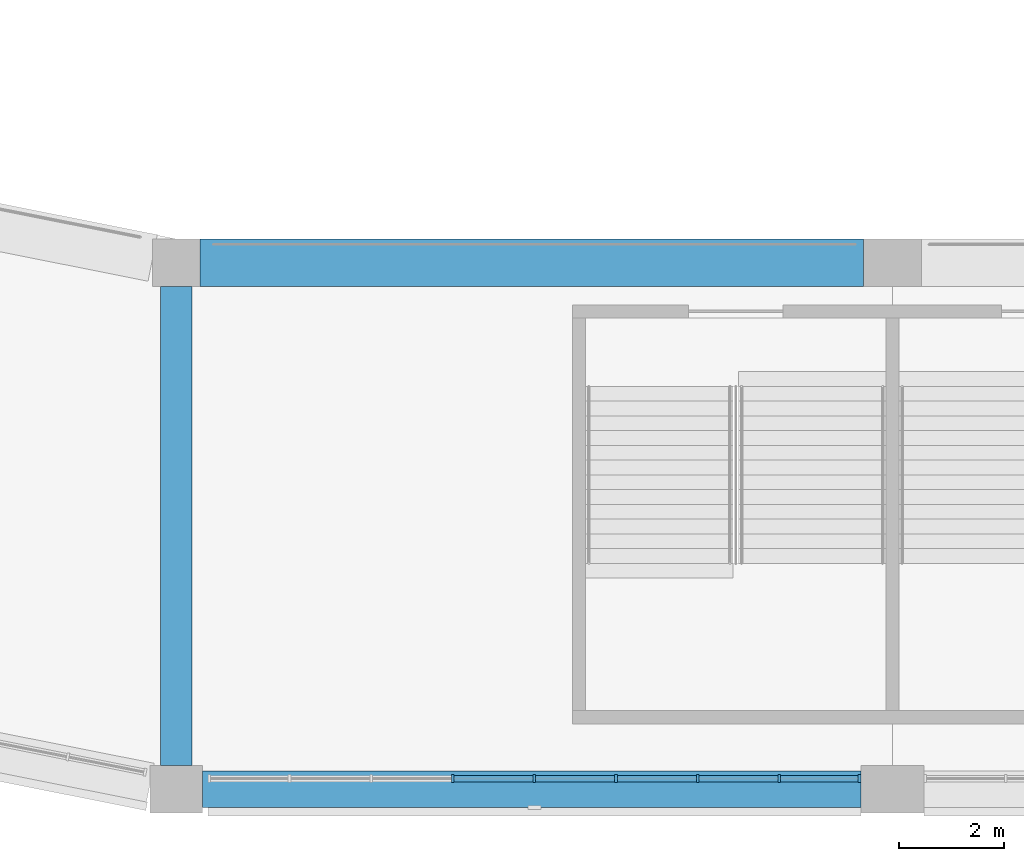
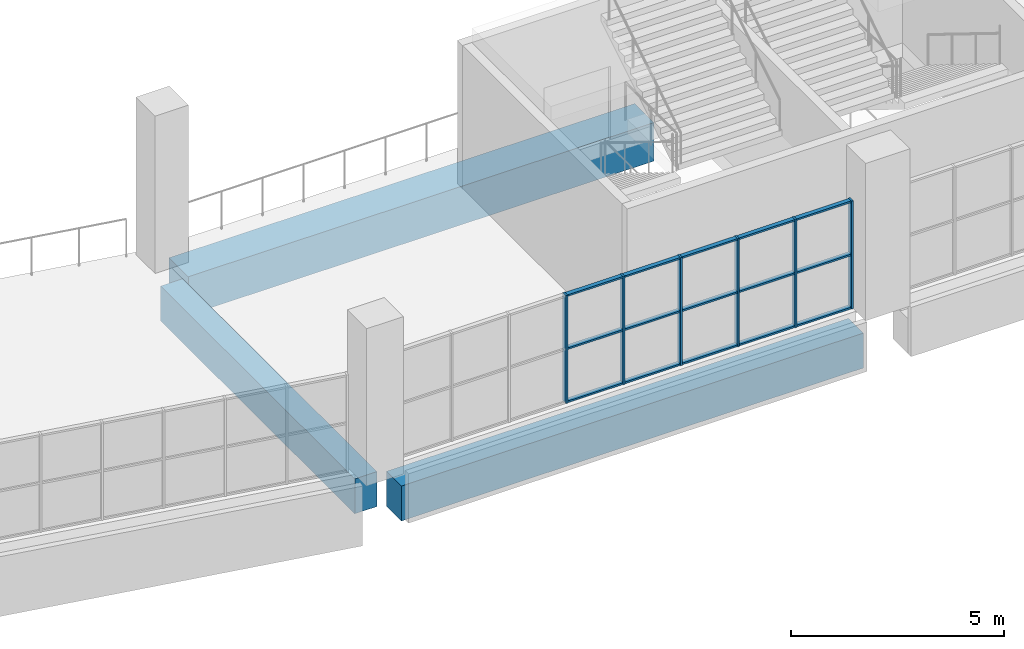
# One storey, part 6 of 177: 21 members, 3 beams, 1 element without a shape of its own.
"""IFC4 building model written with IfcOpenShell, lengths in metres."""

from ifc_helpers import new_model, si_unit, direction, frame, origin, origin_2d, place, context, subcontext, project, spatial, rectangle, extrude, material, material_profile, profile_set, type_object, element, aggregate, save


model = new_model("IFC4")

# Units and contexts
model_context = context("Model", 3, precision=1e-05, world=origin(), true_north=direction((0.0, 1.0)))
body_context = subcontext(model_context, "Body", "Model", "MODEL_VIEW")
ifc_project = project(units=[si_unit("LENGTHUNIT", "METRE"), si_unit("AREAUNIT", "SQUARE_METRE"), si_unit("VOLUMEUNIT", "CUBIC_METRE"), si_unit("PLANEANGLEUNIT", "RADIAN"), si_unit("MASSUNIT", "GRAM", prefix="KILO")], contexts=[model_context])

# Site, building, storey
site_placement = place(None, origin())
site = spatial("IfcSite", under=ifc_project, at=site_placement, CompositionType="ELEMENT")
building_placement = place(site_placement, origin())
building = spatial("IfcBuilding", under=site, at=building_placement, Name="Ogive Plaza Stadium", CompositionType="ELEMENT")
storey_placement = place(building_placement, frame((0.0, 0.0, 18.0)))
storey = spatial("IfcBuildingStorey", under=building, at=storey_placement, Name="L04", CompositionType="ELEMENT", Elevation=18.0)

# Curtain wall, members
ifc_material_1 = material(Name="Bronze-anodised aluminium with laminated glass", Category="aluminium")
curtain_wall_type = type_object("IfcCurtainWallType", Name="Lancet curtain wall", PredefinedType="NOTDEFINED", material=ifc_material_1)
curtain_wall_placement = place(storey_placement, origin())
curtain_wall = element("IfcCurtainWall", 1, at=curtain_wall_placement, inside=storey, type_object=curtain_wall_type, Name="CURTAIN WALL B16 L04", PredefinedType="NOTDEFINED")
ifc_material_2 = material(Name="Bronze-anodised aluminium", Category="aluminium")
ifc_material_profile_1 = material_profile(ifc_material_2, rectangle(XDim=0.14990234375, YDim=0.050048828125, at=origin_2d()), Name="AL 150x50")
ifc_profile_set_1 = profile_set([ifc_material_profile_1], Name="Bronze-anodised aluminium")
member_type_1 = type_object("IfcMemberType", Name="Curtain wall mullion 50x150", PredefinedType="MULLION", material=ifc_profile_set_1)
member_1_placement = place(storey_placement, frame((-21.02490234375, -102.300048828125, 0.0), z_axis=(0.0, 0.0, 1.0), x_axis=(0.0, -1.0, 0.0)))
member_1 = element("IfcMember", 2, at=member_1_placement, type_object=member_type_1, Name="CW-B16-L04 mullion 1", PredefinedType="MULLION", context=body_context, shape_type="SweptSolid", body=[
    extrude(rectangle(XDim=0.14990234375, YDim=0.050048828125, at=origin_2d()), origin(), (0.0, 0.0, 1.0), 3.090087890625),
])
member_2_placement = place(storey_placement, frame((-22.550048828125, -102.300048828125, 0.0), z_axis=(0.0, 0.0, 1.0), x_axis=(0.0, -1.0, 0.0)))
member_2 = element("IfcMember", 3, at=member_2_placement, type_object=member_type_1, Name="CW-B16-L04 mullion 2", PredefinedType="MULLION", context=body_context, shape_type="SweptSolid", body=[
    extrude(rectangle(XDim=0.14990234375, YDim=0.050048828125, at=origin_2d()), origin(), (0.0, 0.0, 1.0), 3.090087890625),
])
member_3_placement = place(storey_placement, frame((-24.10009765625, -102.300048828125, 0.0), z_axis=(0.0, 0.0, 1.0), x_axis=(0.0, -1.0, 0.0)))
member_3 = element("IfcMember", 4, at=member_3_placement, type_object=member_type_1, Name="CW-B16-L04 mullion 3", PredefinedType="MULLION", context=body_context, shape_type="SweptSolid", body=[
    extrude(rectangle(XDim=0.14990234375, YDim=0.050048828125, at=origin_2d()), origin(), (0.0, 0.0, 1.0), 3.090087890625),
])
member_4_placement = place(storey_placement, frame((-25.64990234375, -102.300048828125, 0.0), z_axis=(0.0, 0.0, 1.0), x_axis=(0.0, -1.0, 0.0)))
member_4 = element("IfcMember", 5, at=member_4_placement, type_object=member_type_1, Name="CW-B16-L04 mullion 4", PredefinedType="MULLION", context=body_context, shape_type="SweptSolid", body=[
    extrude(rectangle(XDim=0.14990234375, YDim=0.050048828125, at=origin_2d()), origin(), (0.0, 0.0, 1.0), 3.090087890625),
])
member_5_placement = place(storey_placement, frame((-27.199951171875, -102.300048828125, 0.0), z_axis=(0.0, 0.0, 1.0), x_axis=(0.0, -1.0, 0.0)))
member_5 = element("IfcMember", 6, at=member_5_placement, type_object=member_type_1, Name="CW-B16-L04 mullion 5", PredefinedType="MULLION", context=body_context, shape_type="SweptSolid", body=[
    extrude(rectangle(XDim=0.14990234375, YDim=0.050048828125, at=origin_2d()), origin(), (0.0, 0.0, 1.0), 3.090087890625),
])
member_6_placement = place(storey_placement, frame((-28.75, -102.300048828125, 0.0), z_axis=(0.0, 0.0, 1.0), x_axis=(0.0, -1.0, 0.0)))
member_6 = element("IfcMember", 7, at=member_6_placement, type_object=member_type_1, Name="CW-B16-L04 mullion 6", PredefinedType="MULLION", context=body_context, shape_type="SweptSolid", body=[
    extrude(rectangle(XDim=0.14990234375, YDim=0.050048828125, at=origin_2d()), origin(), (0.0, 0.0, 1.0), 3.090087890625),
])
ifc_material_3 = material(Name="Bronze-anodised aluminium", Category="aluminium")
ifc_material_profile_2 = material_profile(ifc_material_3, rectangle(XDim=0.1201171875, YDim=0.050048828125, at=origin_2d()), Name="AL 120x50")
ifc_profile_set_2 = profile_set([ifc_material_profile_2], Name="Bronze-anodised aluminium")
member_type_2 = type_object("IfcMemberType", Name="Curtain wall transom 50x120", PredefinedType="USERDEFINED", material=ifc_profile_set_2)
member_7_placement = place(storey_placement, frame((-21.050048828125, -102.300048828125, 0.02490234375), z_axis=(-1.0, 0.0, 0.0), x_axis=(0.0, -1.0, 0.0)))
member_7 = element("IfcMember", 8, at=member_7_placement, type_object=member_type_2, Name="CW-B16-L04 transom 1.1", ObjectType="TRANSOM", PredefinedType="USERDEFINED", context=body_context, shape_type="SweptSolid", body=[
    extrude(rectangle(XDim=0.1201171875, YDim=0.050048828125, at=origin_2d()), origin(), (0.0, 0.0, 1.0), 1.474853515625),
])
member_8_placement = place(storey_placement, frame((-21.050048828125, -102.300048828125, 1.544921875), z_axis=(-1.0, 0.0, 0.0), x_axis=(0.0, -1.0, 0.0)))
member_8 = element("IfcMember", 9, at=member_8_placement, type_object=member_type_2, Name="CW-B16-L04 transom 1.2", ObjectType="TRANSOM", PredefinedType="USERDEFINED", context=body_context, shape_type="SweptSolid", body=[
    extrude(rectangle(XDim=0.1201171875, YDim=0.050048828125, at=origin_2d()), origin(), (0.0, 0.0, 1.0), 1.474853515625),
])
member_9_placement = place(storey_placement, frame((-21.050048828125, -102.300048828125, 3.06494140625), z_axis=(-1.0, 0.0, 0.0), x_axis=(0.0, -1.0, 0.0)))
member_9 = element("IfcMember", 10, at=member_9_placement, type_object=member_type_2, Name="CW-B16-L04 transom 1.3", ObjectType="TRANSOM", PredefinedType="USERDEFINED", context=body_context, shape_type="SweptSolid", body=[
    extrude(rectangle(XDim=0.1201171875, YDim=0.050048828125, at=origin_2d()), origin(), (0.0, 0.0, 1.0), 1.474853515625),
])
member_10_placement = place(storey_placement, frame((-22.574951171875, -102.300048828125, 0.02490234375), z_axis=(-1.0, 0.0, 0.0), x_axis=(0.0, -1.0, 0.0)))
member_10 = element("IfcMember", 11, at=member_10_placement, type_object=member_type_2, Name="CW-B16-L04 transom 2.1", ObjectType="TRANSOM", PredefinedType="USERDEFINED", context=body_context, shape_type="SweptSolid", body=[
    extrude(rectangle(XDim=0.1201171875, YDim=0.050048828125, at=origin_2d()), origin(), (0.0, 0.0, 1.0), 1.5),
])
member_11_placement = place(storey_placement, frame((-22.574951171875, -102.300048828125, 1.544921875), z_axis=(-1.0, 0.0, 0.0), x_axis=(0.0, -1.0, 0.0)))
member_11 = element("IfcMember", 12, at=member_11_placement, type_object=member_type_2, Name="CW-B16-L04 transom 2.2", ObjectType="TRANSOM", PredefinedType="USERDEFINED", context=body_context, shape_type="SweptSolid", body=[
    extrude(rectangle(XDim=0.1201171875, YDim=0.050048828125, at=origin_2d()), origin(), (0.0, 0.0, 1.0), 1.5),
])
member_12_placement = place(storey_placement, frame((-22.574951171875, -102.300048828125, 3.06494140625), z_axis=(-1.0, 0.0, 0.0), x_axis=(0.0, -1.0, 0.0)))
member_12 = element("IfcMember", 13, at=member_12_placement, type_object=member_type_2, Name="CW-B16-L04 transom 2.3", ObjectType="TRANSOM", PredefinedType="USERDEFINED", context=body_context, shape_type="SweptSolid", body=[
    extrude(rectangle(XDim=0.1201171875, YDim=0.050048828125, at=origin_2d()), origin(), (0.0, 0.0, 1.0), 1.5),
])
member_13_placement = place(storey_placement, frame((-24.125, -102.300048828125, 0.02490234375), z_axis=(-1.0, 0.0, 0.0), x_axis=(0.0, -1.0, 0.0)))
member_13 = element("IfcMember", 14, at=member_13_placement, type_object=member_type_2, Name="CW-B16-L04 transom 3.1", ObjectType="TRANSOM", PredefinedType="USERDEFINED", context=body_context, shape_type="SweptSolid", body=[
    extrude(rectangle(XDim=0.1201171875, YDim=0.050048828125, at=origin_2d()), origin(), (0.0, 0.0, 1.0), 1.5),
])
member_14_placement = place(storey_placement, frame((-24.125, -102.300048828125, 1.544921875), z_axis=(-1.0, 0.0, 0.0), x_axis=(0.0, -1.0, 0.0)))
member_14 = element("IfcMember", 15, at=member_14_placement, type_object=member_type_2, Name="CW-B16-L04 transom 3.2", ObjectType="TRANSOM", PredefinedType="USERDEFINED", context=body_context, shape_type="SweptSolid", body=[
    extrude(rectangle(XDim=0.1201171875, YDim=0.050048828125, at=origin_2d()), origin(), (0.0, 0.0, 1.0), 1.5),
])
member_15_placement = place(storey_placement, frame((-24.125, -102.300048828125, 3.06494140625), z_axis=(-1.0, 0.0, 0.0), x_axis=(0.0, -1.0, 0.0)))
member_15 = element("IfcMember", 16, at=member_15_placement, type_object=member_type_2, Name="CW-B16-L04 transom 3.3", ObjectType="TRANSOM", PredefinedType="USERDEFINED", context=body_context, shape_type="SweptSolid", body=[
    extrude(rectangle(XDim=0.1201171875, YDim=0.050048828125, at=origin_2d()), origin(), (0.0, 0.0, 1.0), 1.5),
])
member_16_placement = place(storey_placement, frame((-25.675048828125, -102.300048828125, 0.02490234375), z_axis=(-1.0, 0.0, 0.0), x_axis=(0.0, -1.0, 0.0)))
member_16 = element("IfcMember", 17, at=member_16_placement, type_object=member_type_2, Name="CW-B16-L04 transom 4.1", ObjectType="TRANSOM", PredefinedType="USERDEFINED", context=body_context, shape_type="SweptSolid", body=[
    extrude(rectangle(XDim=0.1201171875, YDim=0.050048828125, at=origin_2d()), origin(), (0.0, 0.0, 1.0), 1.5),
])
member_17_placement = place(storey_placement, frame((-25.675048828125, -102.300048828125, 1.544921875), z_axis=(-1.0, 0.0, 0.0), x_axis=(0.0, -1.0, 0.0)))
member_17 = element("IfcMember", 18, at=member_17_placement, type_object=member_type_2, Name="CW-B16-L04 transom 4.2", ObjectType="TRANSOM", PredefinedType="USERDEFINED", context=body_context, shape_type="SweptSolid", body=[
    extrude(rectangle(XDim=0.1201171875, YDim=0.050048828125, at=origin_2d()), origin(), (0.0, 0.0, 1.0), 1.5),
])
member_18_placement = place(storey_placement, frame((-25.675048828125, -102.300048828125, 3.06494140625), z_axis=(-1.0, 0.0, 0.0), x_axis=(0.0, -1.0, 0.0)))
member_18 = element("IfcMember", 19, at=member_18_placement, type_object=member_type_2, Name="CW-B16-L04 transom 4.3", ObjectType="TRANSOM", PredefinedType="USERDEFINED", context=body_context, shape_type="SweptSolid", body=[
    extrude(rectangle(XDim=0.1201171875, YDim=0.050048828125, at=origin_2d()), origin(), (0.0, 0.0, 1.0), 1.5),
])
member_19_placement = place(storey_placement, frame((-27.22509765625, -102.300048828125, 0.02490234375), z_axis=(-1.0, 0.0, 0.0), x_axis=(0.0, -1.0, 0.0)))
member_19 = element("IfcMember", 20, at=member_19_placement, type_object=member_type_2, Name="CW-B16-L04 transom 5.1", ObjectType="TRANSOM", PredefinedType="USERDEFINED", context=body_context, shape_type="SweptSolid", body=[
    extrude(rectangle(XDim=0.1201171875, YDim=0.050048828125, at=origin_2d()), origin(), (0.0, 0.0, 1.0), 1.5),
])
member_20_placement = place(storey_placement, frame((-27.22509765625, -102.300048828125, 1.544921875), z_axis=(-1.0, 0.0, 0.0), x_axis=(0.0, -1.0, 0.0)))
member_20 = element("IfcMember", 21, at=member_20_placement, type_object=member_type_2, Name="CW-B16-L04 transom 5.2", ObjectType="TRANSOM", PredefinedType="USERDEFINED", context=body_context, shape_type="SweptSolid", body=[
    extrude(rectangle(XDim=0.1201171875, YDim=0.050048828125, at=origin_2d()), origin(), (0.0, 0.0, 1.0), 1.5),
])
member_21_placement = place(storey_placement, frame((-27.22509765625, -102.300048828125, 3.06494140625), z_axis=(-1.0, 0.0, 0.0), x_axis=(0.0, -1.0, 0.0)))
member_21 = element("IfcMember", 22, at=member_21_placement, type_object=member_type_2, Name="CW-B16-L04 transom 5.3", ObjectType="TRANSOM", PredefinedType="USERDEFINED", context=body_context, shape_type="SweptSolid", body=[
    extrude(rectangle(XDim=0.1201171875, YDim=0.050048828125, at=origin_2d()), origin(), (0.0, 0.0, 1.0), 1.5),
])
aggregate(curtain_wall, [member_1, member_2, member_3, member_4, member_5, member_6, member_7, member_8, member_9, member_10, member_11, member_12, member_13, member_14, member_15, member_16, member_17, member_18, member_19, member_20, member_21])

# Beams
ifc_material_4 = material(Name="Concrete C40/50", Category="concrete")
ifc_material_profile_3 = material_profile(ifc_material_4, rectangle(XDim=0.60009765625, YDim=1.0, at=origin_2d()), Name="RC 600x1000")
ifc_profile_set_3 = profile_set([ifc_material_profile_3], Name="Concrete C40/50")
beam_type_1 = type_object("IfcBeamType", Name="RC radial beam 600x1000", PredefinedType="BEAM", material=ifc_profile_set_3)
beam_1_placement = place(storey_placement, frame((-34.0, -92.949951171875, -0.909912109375), z_axis=(0.0, -1.0, 0.0), x_axis=(1.0, 0.0, 0.0)))
element("IfcBeam", 23, at=beam_1_placement, inside=storey, type_object=beam_type_1, Name="Radial beam L04 R17 F4F5", PredefinedType="BEAM", context=body_context, shape_type="SweptSolid", body=[
    extrude(rectangle(XDim=0.60009765625, YDim=1.0, at=origin_2d()), origin(), (0.0, 0.0, 1.0), 9.10009765625),
])
ifc_material_5 = material(Name="Concrete C40/50", Category="concrete")
ifc_material_profile_4 = material_profile(ifc_material_5, rectangle(XDim=0.89990234375, YDim=1.10009765625, at=origin_2d()), Name="RC 900x1100")
ifc_profile_set_4 = profile_set([ifc_material_profile_4], Name="Concrete C40/50")
beam_type_2 = type_object("IfcBeamType", Name="RC ring beam 900x1100", PredefinedType="BEAM", material=ifc_profile_set_4)
beam_2_placement = place(storey_placement, frame((-20.949951171875, -92.5, -0.9599609375), z_axis=(-1.0, 0.0, 0.0), x_axis=(0.0, -1.0, 0.0)))
element("IfcBeam", 24, at=beam_2_placement, inside=storey, type_object=beam_type_2, Name="Ring beam F4 L04 B16", PredefinedType="BEAM", context=body_context, shape_type="SweptSolid", body=[
    extrude(rectangle(XDim=0.89990234375, YDim=1.10009765625, at=origin_2d()), origin(), (0.0, 0.0, 1.0), 12.60009765625),
])
ifc_material_6 = material(Name="Concrete C40/50", Category="concrete")
ifc_material_profile_5 = material_profile(ifc_material_6, rectangle(XDim=0.699951171875, YDim=1.0, at=origin_2d()), Name="RC 700x1000")
ifc_profile_set_5 = profile_set([ifc_material_profile_5], Name="Concrete C40/50")
beam_type_3 = type_object("IfcBeamType", Name="RC spandrel beam 700x1000", PredefinedType="SPANDREL", material=ifc_profile_set_5)
beam_3_placement = place(storey_placement, frame((-21.0, -102.5, -0.909912109375), z_axis=(-1.0, 0.0, 0.0), x_axis=(0.0, -1.0, 0.0)))
element("IfcBeam", 25, at=beam_3_placement, inside=storey, type_object=beam_type_3, Name="Ring beam F5 L04 B16", PredefinedType="SPANDREL", context=body_context, shape_type="SweptSolid", body=[
    extrude(rectangle(XDim=0.699951171875, YDim=1.0, at=origin_2d()), origin(), (0.0, 0.0, 1.0), 12.5),
])

save(model, "model.ifc")
